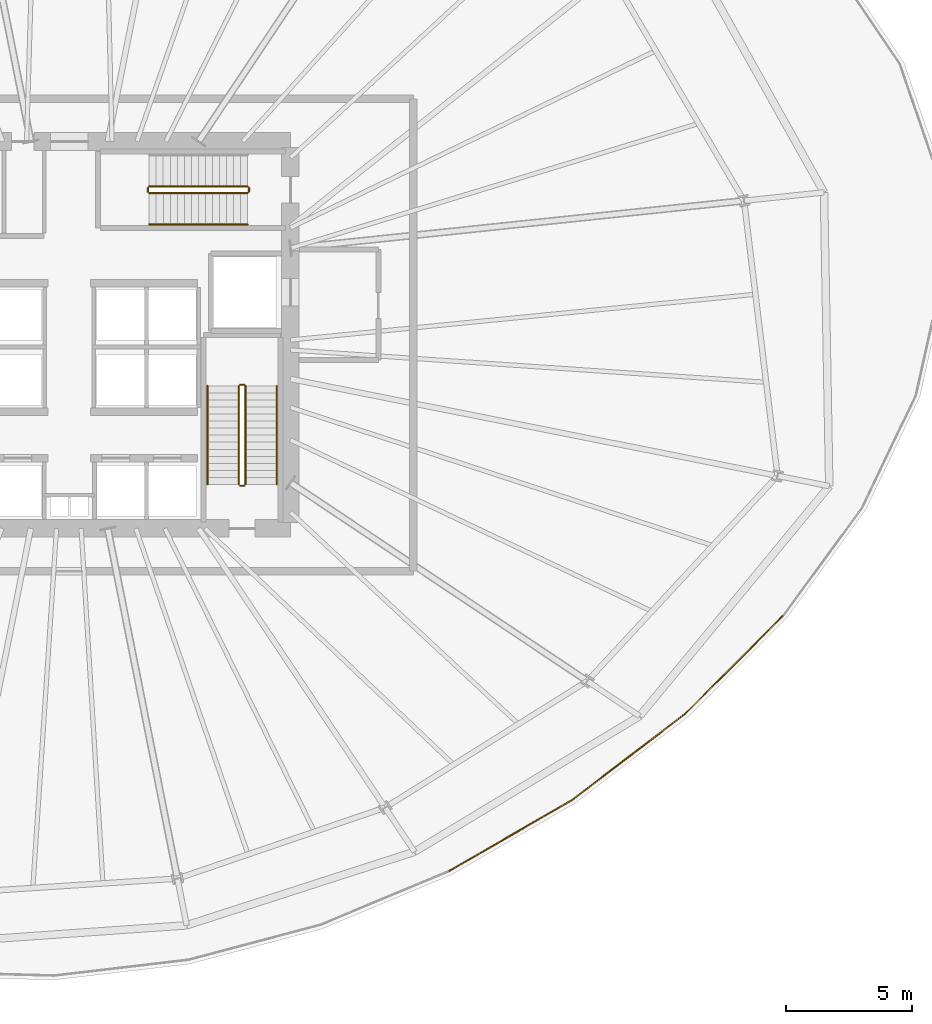
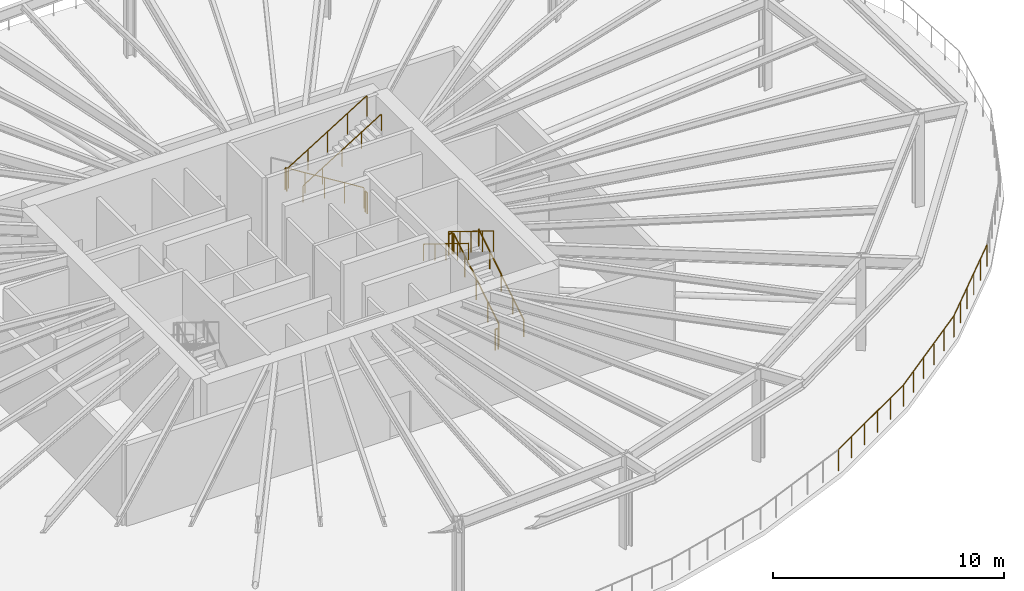
# One storey, part 8 of 9: 14 railings.
"""IFC4 building model written with IfcOpenShell, lengths in metres."""

from ifc_helpers import new_model, si_unit, direction, frame, origin, origin_2d, place, context, subcontext, project, spatial, circle, extrude, material, type_object, element, save


model = new_model("IFC4")

# Units and contexts
model_context = context("Model", 3, precision=1e-05, world=origin(), true_north=direction((0.0, 1.0)))
body_context = subcontext(model_context, "Body", "Model", "MODEL_VIEW")
ifc_project = project(units=[si_unit("LENGTHUNIT", "METRE"), si_unit("AREAUNIT", "SQUARE_METRE"), si_unit("VOLUMEUNIT", "CUBIC_METRE"), si_unit("PLANEANGLEUNIT", "RADIAN"), si_unit("MASSUNIT", "GRAM", prefix="KILO"), si_unit("THERMODYNAMICTEMPERATUREUNIT", "KELVIN")], contexts=[model_context])

# Site, building, storey
site_placement = place(None, origin())
site = spatial("IfcSite", under=ifc_project, at=site_placement, CompositionType="ELEMENT")
building_placement = place(site_placement, origin())
building = spatial("IfcBuilding", under=site, at=building_placement, Name="Kethvar Cultural Tower", CompositionType="ELEMENT")
storey_placement = place(building_placement, frame((0.0, 0.0, 75.199951171875)))
storey = spatial("IfcBuildingStorey", under=building, at=storey_placement, Name="L18", CompositionType="ELEMENT", Elevation=75.199951171875)

# Railings
ifc_material = material(Name="Steel S355J2", Category="steel")
railing_type_1 = type_object("IfcRailingType", Name="RL-EXT-GUARD-1150", PredefinedType="BALUSTRADE", material=ifc_material)
railing_1_placement = place(storey_placement, frame((61.915771484375, 6.4609375, 0.0)))
element("IfcRailing", 1, at=railing_1_placement, inside=storey, type_object=railing_type_1, Name="L18 Open Wind-Floor Perimeter Guard 30", PredefinedType="BALUSTRADE", context=body_context, shape_type="SweptSolid", body=[
    extrude(circle(Radius=0.02392578125, at=origin_2d()), frame((0.0, 0.0, 1.1259765625), z_axis=(0.865936599997, 0.500153781138, 0.0), x_axis=(-0.500153781138, 0.865936599997, 0.0)), (0.0, 0.0, 1.0), 5.650634765625),
    extrude(circle(Radius=0.02099609375, at=origin_2d()), origin(), (0.0, 0.0, 1.0), 1.101806640625),
    extrude(circle(Radius=0.02099609375, at=origin_2d()), frame((0.978515625, 0.565185546875, 0.0)), (0.0, 0.0, 1.0), 1.101806640625),
    extrude(circle(Radius=0.02099609375, at=origin_2d()), frame((1.957275390625, 1.13037109375, 0.0)), (0.0, 0.0, 1.0), 1.101806640625),
    extrude(circle(Radius=0.02099609375, at=origin_2d()), frame((2.935791015625, 1.69580078125, 0.0)), (0.0, 0.0, 1.0), 1.101806640625),
    extrude(circle(Radius=0.02099609375, at=origin_2d()), frame((3.91455078125, 2.260986328125, 0.0)), (0.0, 0.0, 1.0), 1.101806640625),
    extrude(circle(Radius=0.02099609375, at=origin_2d()), frame((4.89306640625, 2.826171875, 0.0)), (0.0, 0.0, 1.0), 1.101806640625),
])
railing_2_placement = place(storey_placement, frame((66.808837890625, 9.287109375, 0.0)))
element("IfcRailing", 2, at=railing_2_placement, inside=storey, type_object=railing_type_1, Name="L18 Open Wind-Floor Perimeter Guard 31", PredefinedType="BALUSTRADE", context=body_context, shape_type="SweptSolid", body=[
    extrude(circle(Radius=0.02392578125, at=origin_2d()), frame((0.0, 0.0, 1.1259765625), z_axis=(0.795368326391, 0.606126410391, 0.0), x_axis=(-0.606126410391, 0.795368326391, 0.0)), (0.0, 0.0, 1.0), 5.658447265625),
    extrude(circle(Radius=0.02099609375, at=origin_2d()), origin(), (0.0, 0.0, 1.0), 1.101806640625),
    extrude(circle(Radius=0.02099609375, at=origin_2d()), frame((0.900146484375, 0.68603515625, 0.0)), (0.0, 0.0, 1.0), 1.101806640625),
    extrude(circle(Radius=0.02099609375, at=origin_2d()), frame((1.80029296875, 1.371826171875, 0.0)), (0.0, 0.0, 1.0), 1.101806640625),
    extrude(circle(Radius=0.02099609375, at=origin_2d()), frame((2.7001953125, 2.057861328125, 0.0)), (0.0, 0.0, 1.0), 1.101806640625),
    extrude(circle(Radius=0.02099609375, at=origin_2d()), frame((3.600341796875, 2.74365234375, 0.0)), (0.0, 0.0, 1.0), 1.101806640625),
    extrude(circle(Radius=0.02099609375, at=origin_2d()), frame((4.50048828125, 3.4296875, 0.0)), (0.0, 0.0, 1.0), 1.101806640625),
])
railing_3_placement = place(storey_placement, frame((71.309326171875, 12.716796875, 0.0)))
element("IfcRailing", 3, at=railing_3_placement, inside=storey, type_object=railing_type_1, Name="L18 Open Wind-Floor Perimeter Guard 32", PredefinedType="BALUSTRADE", context=body_context, shape_type="SweptSolid", body=[
    extrude(circle(Radius=0.02392578125, at=origin_2d()), frame((0.0, 0.0, 1.1259765625), z_axis=(0.706643906929, 0.707569352644, 0.0), x_axis=(-0.707569352644, 0.706643906929, 0.0)), (0.0, 0.0, 1.0), 5.5400390625),
    extrude(circle(Radius=0.02099609375, at=origin_2d()), origin(), (0.0, 0.0, 1.0), 1.101806640625),
    extrude(circle(Radius=0.02099609375, at=origin_2d()), frame((0.782958984375, 0.783935546875, 0.0)), (0.0, 0.0, 1.0), 1.101806640625),
    extrude(circle(Radius=0.02099609375, at=origin_2d()), frame((1.56591796875, 1.56787109375, 0.0)), (0.0, 0.0, 1.0), 1.101806640625),
    extrude(circle(Radius=0.02099609375, at=origin_2d()), frame((2.348876953125, 2.35205078125, 0.0)), (0.0, 0.0, 1.0), 1.101806640625),
    extrude(circle(Radius=0.02099609375, at=origin_2d()), frame((3.1318359375, 3.135986328125, 0.0)), (0.0, 0.0, 1.0), 1.101806640625),
    extrude(circle(Radius=0.02099609375, at=origin_2d()), frame((3.914794921875, 3.919921875, 0.0)), (0.0, 0.0, 1.0), 1.101806640625),
])
railing_type_2 = type_object("IfcRailingType", Name="RL-STAIR-GUARD", PredefinedType="BALUSTRADE", material=ifc_material)
railing_4_placement = place(storey_placement, frame((53.81005859375, 21.85009765625, 0.17333984375)))
element("IfcRailing", 4, at=railing_4_placement, inside=storey, type_object=railing_type_2, Name="L18 ST-02 stair guard 1", PredefinedType="BALUSTRADE", context=body_context, shape_type="SweptSolid", body=[
    extrude(circle(Radius=0.02392578125, at=origin_2d()), frame((0.0, 0.0, 1.09619140625), z_axis=(0.0, 0.850251603719, 0.526376491091), x_axis=(-1.0, 0.0, 0.0)), (0.0, 0.0, 1.0), 4.6103515625),
    extrude(circle(Radius=0.02099609375, at=origin_2d()), origin(), (0.0, 0.0, 1.0), 1.072021484375),
    extrude(circle(Radius=0.02099609375, at=origin_2d()), frame((0.0, 0.97998046875, 0.606689453125)), (0.0, 0.0, 1.0), 1.072021484375),
    extrude(circle(Radius=0.02099609375, at=origin_2d()), frame((0.0, 1.9599609375, 1.21337890625)), (0.0, 0.0, 1.0), 1.072021484375),
    extrude(circle(Radius=0.02099609375, at=origin_2d()), frame((0.0, 2.93994140625, 1.820068359375)), (0.0, 0.0, 1.0), 1.072021484375),
    extrude(circle(Radius=0.02099609375, at=origin_2d()), frame((0.0, 3.919921875, 2.4267578125)), (0.0, 0.0, 1.0), 1.072021484375),
])
railing_5_placement = place(storey_placement, frame((53.760009765625, 25.820068359375, 2.60009765625)))
element("IfcRailing", 5, at=railing_5_placement, inside=storey, type_object=railing_type_2, Name="L18 ST-02 stair guard 2", PredefinedType="BALUSTRADE", context=body_context, shape_type="SweptSolid", body=[
    extrude(circle(Radius=0.02392578125, at=origin_2d()), frame((0.0, 0.0, 1.09619140625), z_axis=(-1.0, 0.0, 0.0), x_axis=(0.0, -1.0, 0.0)), (0.0, 0.0, 1.0), 0.159912109375),
    extrude(circle(Radius=0.02099609375, at=origin_2d()), origin(), (0.0, 0.0, 1.0), 1.072021484375),
    extrude(circle(Radius=0.02099609375, at=origin_2d()), frame((-0.159912109375, 0.0, 0.0)), (0.0, 0.0, 1.0), 1.072021484375),
])
railing_6_placement = place(storey_placement, frame((53.550048828125, 25.77001953125, 2.7734375)))
element("IfcRailing", 6, at=railing_6_placement, inside=storey, type_object=railing_type_2, Name="L18 ST-02 stair guard 3", PredefinedType="BALUSTRADE", context=body_context, shape_type="SweptSolid", body=[
    extrude(circle(Radius=0.02392578125, at=origin_2d()), frame((0.0, 0.0, 1.09619140625), z_axis=(0.0, -0.850275303828, 0.526338206574), x_axis=(1.0, 0.0, 0.0)), (0.0, 0.0, 1.0), 4.610107421875),
    extrude(circle(Radius=0.02099609375, at=origin_2d()), origin(), (0.0, 0.0, 1.0), 1.072021484375),
    extrude(circle(Radius=0.02099609375, at=origin_2d()), frame((0.0, -0.97998046875, 0.606689453125)), (0.0, 0.0, 1.0), 1.072021484375),
    extrude(circle(Radius=0.02099609375, at=origin_2d()), frame((0.0, -1.9599609375, 1.21337890625)), (0.0, 0.0, 1.0), 1.072021484375),
    extrude(circle(Radius=0.02099609375, at=origin_2d()), frame((0.0, -2.93994140625, 1.81982421875)), (0.0, 0.0, 1.0), 1.072021484375),
    extrude(circle(Radius=0.02099609375, at=origin_2d()), frame((0.0, -3.919921875, 2.426513671875)), (0.0, 0.0, 1.0), 1.072021484375),
])
railing_7_placement = place(storey_placement, frame((53.760009765625, 21.800048828125, 0.0)))
element("IfcRailing", 7, at=railing_7_placement, inside=storey, type_object=railing_type_2, Name="L18 ST-02 stair guard 4", PredefinedType="BALUSTRADE", context=body_context, shape_type="SweptSolid", body=[
    extrude(circle(Radius=0.02392578125, at=origin_2d()), frame((0.0, 0.0, 1.09619140625), z_axis=(-1.0, 0.0, 0.0), x_axis=(0.0, -1.0, 0.0)), (0.0, 0.0, 1.0), 0.159912109375),
    extrude(circle(Radius=0.02099609375, at=origin_2d()), origin(), (0.0, 0.0, 1.0), 1.072021484375),
    extrude(circle(Radius=0.02099609375, at=origin_2d()), frame((-0.159912109375, 0.0, 0.0)), (0.0, 0.0, 1.0), 1.072021484375),
])
railing_8_placement = place(storey_placement, frame((53.89990234375, 33.7099609375, 0.17333984375)))
element("IfcRailing", 8, at=railing_8_placement, inside=storey, type_object=railing_type_2, Name="L18 ST-03 stair guard 1", PredefinedType="BALUSTRADE", context=body_context, shape_type="SweptSolid", body=[
    extrude(circle(Radius=0.02392578125, at=origin_2d()), frame((0.0, 0.0, 1.09619140625), z_axis=(-0.850251603719, 0.0, 0.526376491091), x_axis=(0.0, -1.0, 0.0)), (0.0, 0.0, 1.0), 4.6103515625),
    extrude(circle(Radius=0.02099609375, at=origin_2d()), origin(), (0.0, 0.0, 1.0), 1.072021484375),
    extrude(circle(Radius=0.02099609375, at=origin_2d()), frame((-0.97998046875, 0.0, 0.606689453125)), (0.0, 0.0, 1.0), 1.072021484375),
    extrude(circle(Radius=0.02099609375, at=origin_2d()), frame((-1.9599609375, 0.0, 1.21337890625)), (0.0, 0.0, 1.0), 1.072021484375),
    extrude(circle(Radius=0.02099609375, at=origin_2d()), frame((-2.93994140625, 0.0, 1.820068359375)), (0.0, 0.0, 1.0), 1.072021484375),
    extrude(circle(Radius=0.02099609375, at=origin_2d()), frame((-3.919921875, 0.0, 2.4267578125)), (0.0, 0.0, 1.0), 1.072021484375),
])
railing_9_placement = place(storey_placement, frame((49.929931640625, 33.659912109375, 2.60009765625)))
element("IfcRailing", 9, at=railing_9_placement, inside=storey, type_object=railing_type_2, Name="L18 ST-03 stair guard 2", PredefinedType="BALUSTRADE", context=body_context, shape_type="SweptSolid", body=[
    extrude(circle(Radius=0.02392578125, at=origin_2d()), frame((0.0, 0.0, 1.09619140625), z_axis=(0.0, -1.0, 0.0), x_axis=(1.0, 0.0, 0.0)), (0.0, 0.0, 1.0), 0.159912109375),
    extrude(circle(Radius=0.02099609375, at=origin_2d()), origin(), (0.0, 0.0, 1.0), 1.072021484375),
    extrude(circle(Radius=0.02099609375, at=origin_2d()), frame((0.0, -0.159912109375, 0.0)), (0.0, 0.0, 1.0), 1.072021484375),
])
railing_10_placement = place(storey_placement, frame((49.97998046875, 33.449951171875, 2.7734375)))
element("IfcRailing", 10, at=railing_10_placement, inside=storey, type_object=railing_type_2, Name="L18 ST-03 stair guard 3", PredefinedType="BALUSTRADE", context=body_context, shape_type="SweptSolid", body=[
    extrude(circle(Radius=0.02392578125, at=origin_2d()), frame((0.0, 0.0, 1.09619140625), z_axis=(0.850275303828, 0.0, 0.526338206574), x_axis=(0.0, 1.0, 0.0)), (0.0, 0.0, 1.0), 4.610107421875),
    extrude(circle(Radius=0.02099609375, at=origin_2d()), origin(), (0.0, 0.0, 1.0), 1.072021484375),
    extrude(circle(Radius=0.02099609375, at=origin_2d()), frame((0.97998046875, 0.0, 0.606689453125)), (0.0, 0.0, 1.0), 1.072021484375),
    extrude(circle(Radius=0.02099609375, at=origin_2d()), frame((1.9599609375, 0.0, 1.21337890625)), (0.0, 0.0, 1.0), 1.072021484375),
    extrude(circle(Radius=0.02099609375, at=origin_2d()), frame((2.93994140625, 0.0, 1.81982421875)), (0.0, 0.0, 1.0), 1.072021484375),
    extrude(circle(Radius=0.02099609375, at=origin_2d()), frame((3.919921875, 0.0, 2.426513671875)), (0.0, 0.0, 1.0), 1.072021484375),
])
railing_11_placement = place(storey_placement, frame((53.949951171875, 33.659912109375, 0.0)))
element("IfcRailing", 11, at=railing_11_placement, inside=storey, type_object=railing_type_2, Name="L18 ST-03 stair guard 4", PredefinedType="BALUSTRADE", context=body_context, shape_type="SweptSolid", body=[
    extrude(circle(Radius=0.02392578125, at=origin_2d()), frame((0.0, 0.0, 1.09619140625), z_axis=(0.0, -1.0, 0.0), x_axis=(1.0, 0.0, 0.0)), (0.0, 0.0, 1.0), 0.159912109375),
    extrude(circle(Radius=0.02099609375, at=origin_2d()), origin(), (0.0, 0.0, 1.0), 1.072021484375),
    extrude(circle(Radius=0.02099609375, at=origin_2d()), frame((0.0, -0.159912109375, 0.0)), (0.0, 0.0, 1.0), 1.072021484375),
])
railing_type_3 = type_object("IfcRailingType", Name="RL-STAIR-HANDRAIL", PredefinedType="HANDRAIL", material=ifc_material)
railing_12_placement = place(storey_placement, frame((55.06005859375, 21.85009765625, 0.17333984375)))
element("IfcRailing", 12, at=railing_12_placement, inside=storey, type_object=railing_type_3, Name="L18 ST-02 stair handrail 1", PredefinedType="HANDRAIL", context=body_context, shape_type="SweptSolid", body=[
    extrude(circle(Radius=0.02392578125, at=origin_2d()), frame((0.0, 0.0, 0.8759765625), z_axis=(0.0, 0.850251603719, 0.526376491091), x_axis=(-1.0, 0.0, 0.0)), (0.0, 0.0, 1.0), 4.6103515625),
    extrude(circle(Radius=0.02099609375, at=origin_2d()), origin(), (0.0, 0.0, 1.0), 0.851806640625),
    extrude(circle(Radius=0.02099609375, at=origin_2d()), frame((0.0, 0.97998046875, 0.606689453125)), (0.0, 0.0, 1.0), 0.851806640625),
    extrude(circle(Radius=0.02099609375, at=origin_2d()), frame((0.0, 1.9599609375, 1.21337890625)), (0.0, 0.0, 1.0), 0.851806640625),
    extrude(circle(Radius=0.02099609375, at=origin_2d()), frame((0.0, 2.93994140625, 1.820068359375)), (0.0, 0.0, 1.0), 0.851806640625),
    extrude(circle(Radius=0.02099609375, at=origin_2d()), frame((0.0, 3.919921875, 2.4267578125)), (0.0, 0.0, 1.0), 0.851806640625),
])
railing_13_placement = place(storey_placement, frame((52.300048828125, 25.77001953125, 2.7734375)))
element("IfcRailing", 13, at=railing_13_placement, inside=storey, type_object=railing_type_3, Name="L18 ST-02 stair handrail 2", PredefinedType="HANDRAIL", context=body_context, shape_type="SweptSolid", body=[
    extrude(circle(Radius=0.02392578125, at=origin_2d()), frame((0.0, 0.0, 0.8759765625), z_axis=(0.0, -0.850275303828, 0.526338206574), x_axis=(1.0, 0.0, 0.0)), (0.0, 0.0, 1.0), 4.610107421875),
    extrude(circle(Radius=0.02099609375, at=origin_2d()), origin(), (0.0, 0.0, 1.0), 0.851806640625),
    extrude(circle(Radius=0.02099609375, at=origin_2d()), frame((0.0, -0.97998046875, 0.606689453125)), (0.0, 0.0, 1.0), 0.851806640625),
    extrude(circle(Radius=0.02099609375, at=origin_2d()), frame((0.0, -1.9599609375, 1.21337890625)), (0.0, 0.0, 1.0), 0.851806640625),
    extrude(circle(Radius=0.02099609375, at=origin_2d()), frame((0.0, -2.93994140625, 1.81982421875)), (0.0, 0.0, 1.0), 0.851806640625),
    extrude(circle(Radius=0.02099609375, at=origin_2d()), frame((0.0, -3.919921875, 2.426513671875)), (0.0, 0.0, 1.0), 0.851806640625),
])
railing_14_placement = place(storey_placement, frame((49.97998046875, 32.199951171875, 2.7734375)))
element("IfcRailing", 14, at=railing_14_placement, inside=storey, type_object=railing_type_3, Name="L18 ST-03 stair handrail 2", PredefinedType="HANDRAIL", context=body_context, shape_type="SweptSolid", body=[
    extrude(circle(Radius=0.02392578125, at=origin_2d()), frame((0.0, 0.0, 0.8759765625), z_axis=(0.850275303828, 0.0, 0.526338206574), x_axis=(0.0, 1.0, 0.0)), (0.0, 0.0, 1.0), 4.610107421875),
    extrude(circle(Radius=0.02099609375, at=origin_2d()), origin(), (0.0, 0.0, 1.0), 0.851806640625),
    extrude(circle(Radius=0.02099609375, at=origin_2d()), frame((0.97998046875, 0.0, 0.606689453125)), (0.0, 0.0, 1.0), 0.851806640625),
    extrude(circle(Radius=0.02099609375, at=origin_2d()), frame((1.9599609375, 0.0, 1.21337890625)), (0.0, 0.0, 1.0), 0.851806640625),
    extrude(circle(Radius=0.02099609375, at=origin_2d()), frame((2.93994140625, 0.0, 1.81982421875)), (0.0, 0.0, 1.0), 0.851806640625),
    extrude(circle(Radius=0.02099609375, at=origin_2d()), frame((3.919921875, 0.0, 2.426513671875)), (0.0, 0.0, 1.0), 0.851806640625),
])

save(model, "model.ifc")
